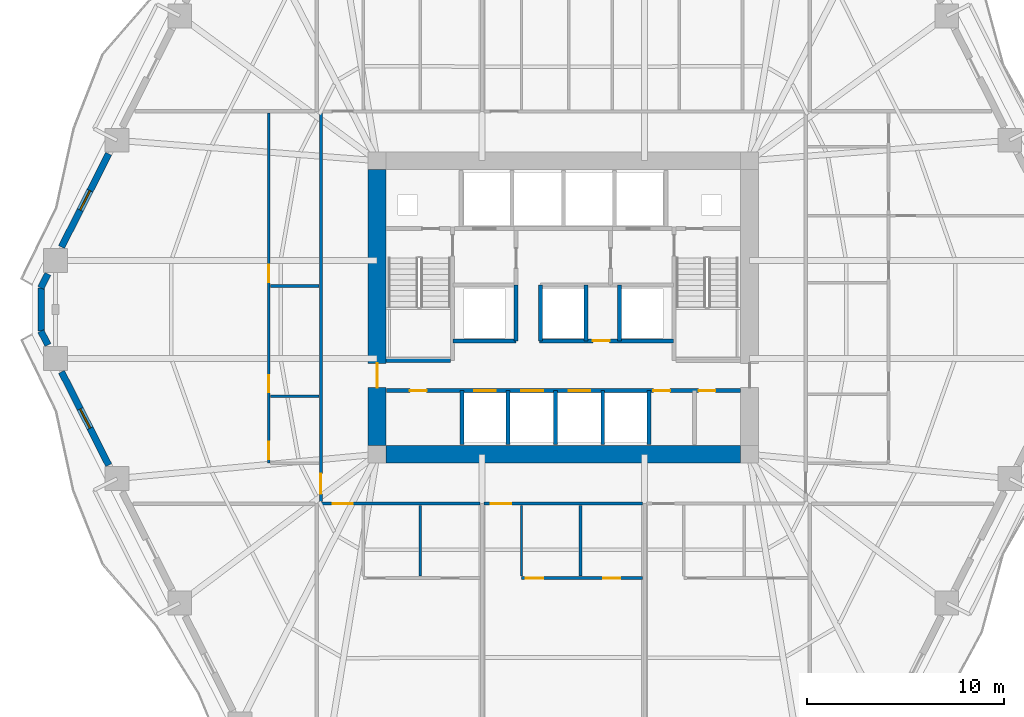
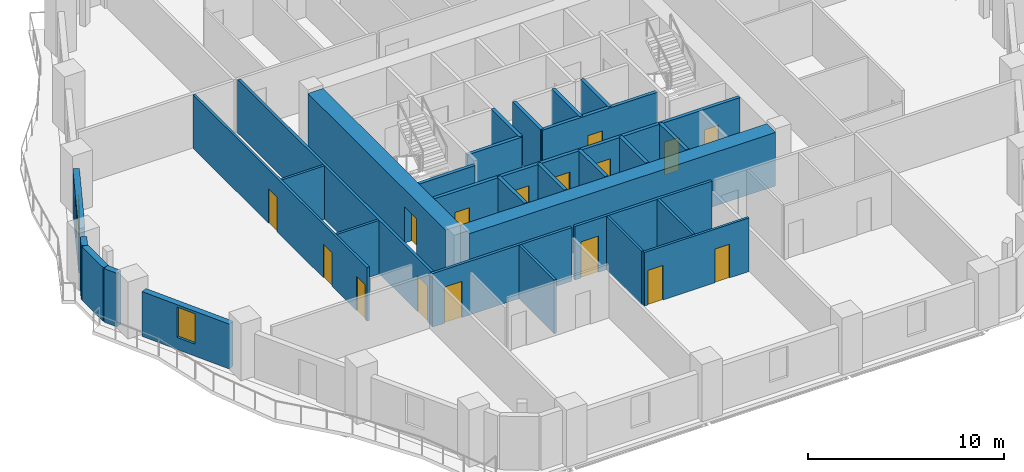
# One storey, part 4 of 11: 30 walls, 16 doors, 2 windows, 18 openings.
"""IFC4 building model written with IfcOpenShell, lengths in metres."""

from ifc_helpers import new_model, si_unit, direction, frame, frame_2d, origin, place, context, subcontext, project, spatial, rectangle, extrude, material, layer, layer_set, type_object, element, fill, save


model = new_model("IFC4")

# Units and contexts
model_context = context("Model", 3, precision=1e-05, world=origin(), true_north=direction((0.0, 1.0)))
body_context = subcontext(model_context, "Body", "Model", "MODEL_VIEW")
ifc_project = project(units=[si_unit("LENGTHUNIT", "METRE"), si_unit("AREAUNIT", "SQUARE_METRE"), si_unit("VOLUMEUNIT", "CUBIC_METRE"), si_unit("PLANEANGLEUNIT", "RADIAN"), si_unit("MASSUNIT", "GRAM", prefix="KILO")], contexts=[model_context])

# Site, building, storey
site_placement = place(None, origin())
site = spatial("IfcSite", under=ifc_project, at=site_placement, CompositionType="ELEMENT")
building_placement = place(site_placement, origin())
building = spatial("IfcBuilding", under=site, at=building_placement, Name="Cinnabar Lancet Tower", CompositionType="ELEMENT")
storey_placement = place(building_placement, frame((0.0, 0.0, 60.39990234375)))
storey = spatial("IfcBuildingStorey", under=building, at=storey_placement, Name="L15", CompositionType="ELEMENT", Elevation=60.39990234375)

# Wall, opening, door
ifc_material_1 = material(Name="Acoustic twin-stud gypsum partition", Category="gypsum")
ifc_layer_1 = layer(ifc_material_1, 0.159912109375)
ifc_layer_set_1 = layer_set([ifc_layer_1], Name="Acoustic twin-stud gypsum partition")
wall_type_1 = type_object("IfcWallType", Name="ARC-WL-CORR-160", PredefinedType="PARTITIONING", material=ifc_layer_set_1)
wall_1_placement = place(storey_placement, frame((19.9951171875, 15.949951171875, 0.0), z_axis=(0.0, 0.0, 1.0), x_axis=(1.0, 0.0, 0.0)))
wall_1 = element("IfcWall", 1, at=wall_1_placement, inside=storey, type_object=wall_type_1, Name="L15 Unit S01 Corridor Wall", PredefinedType="PARTITIONING", context=body_context, shape_type="SweptSolid", body=[
    extrude(rectangle(XDim=8.18798828125, YDim=0.159912109375, at=frame_2d((4.093994140625, 0.0))), origin(), (0.0, 0.0, 1.0), 3.330078125),
])
opening_1_placement = place(wall_1_placement, frame((0.705078125, 0.0, 0.0)))
opening_1 = element("IfcOpeningElement", 2, at=opening_1_placement, cuts=wall_1, Name="Opening UD-01", PredefinedType="OPENING", context=body_context, shape_type="SweptSolid", body=[
    extrude(rectangle(XDim=1.02001953125, YDim=2.25, at=frame_2d((0.510009765625, 1.125))), frame((0.0, 0.08984375, 0.0), z_axis=(0.0, -1.0, 0.0), x_axis=(1.0, 0.0, 0.0)), (0.0, 0.0, 1.0), 0.179931640625),
])
ifc_material_2 = material(Name="Solid timber fire-rated apartment entrance door", Category="wood")
door_type_1 = type_object("IfcDoorType", Name="ARC-DR-UNIT", OperationType="NOTDEFINED", PredefinedType="DOOR", material=ifc_material_2)
door_1_placement = place(opening_1_placement, origin())
door_1 = element("IfcDoor", 3, at=door_1_placement, inside=storey, type_object=door_type_1, Name="DR-L15-S01-ENT", OperationType="SINGLE_SWING_RIGHT", OverallHeight=2.25, OverallWidth=1.02001953125, PredefinedType="DOOR", context=body_context, shape_type="SweptSolid", body=[
    extrude(rectangle(XDim=1.02001953125, YDim=2.25, at=frame_2d((0.510009765625, 1.125))), frame((0.0, 0.02490234375, 0.0), z_axis=(0.0, -1.0, 0.0), x_axis=(1.0, 0.0, 0.0)), (0.0, 0.0, 1.0), 0.050048828125),
])
fill(opening_1, door_1)

wall_2_placement = place(storey_placement, frame((28.373046875, 15.949951171875, 0.0), z_axis=(0.0, 0.0, 1.0), x_axis=(1.0, 0.0, 0.0)))
wall_2 = element("IfcWall", 4, at=wall_2_placement, inside=storey, type_object=wall_type_1, Name="L15 Unit S02 Corridor Wall", PredefinedType="PARTITIONING", context=body_context, shape_type="SweptSolid", body=[
    extrude(rectangle(XDim=8.053955078125, YDim=0.159912109375, at=frame_2d((4.02685546875, 0.0))), origin(), (0.0, 0.0, 1.0), 3.330078125),
])
opening_2_placement = place(wall_2_placement, frame((0.35498046875, 0.0, 0.0)))
opening_2 = element("IfcOpeningElement", 5, at=opening_2_placement, cuts=wall_2, Name="Opening UD-01", PredefinedType="OPENING", context=body_context, shape_type="SweptSolid", body=[
    extrude(rectangle(XDim=1.02001953125, YDim=2.25, at=frame_2d((0.510009765625, 1.125))), frame((0.0, 0.08984375, 0.0), z_axis=(0.0, -1.0, 0.0), x_axis=(1.0, 0.0, 0.0)), (0.0, 0.0, 1.0), 0.179931640625),
])
door_2_placement = place(opening_2_placement, origin())
door_2 = element("IfcDoor", 6, at=door_2_placement, inside=storey, type_object=door_type_1, Name="DR-L15-S02-ENT", OperationType="SINGLE_SWING_LEFT", OverallHeight=2.25, OverallWidth=1.02001953125, PredefinedType="DOOR", context=body_context, shape_type="SweptSolid", body=[
    extrude(rectangle(XDim=1.02001953125, YDim=2.25, at=frame_2d((0.510009765625, 1.125))), frame((0.0, 0.02490234375, 0.0), z_axis=(0.0, -1.0, 0.0), x_axis=(1.0, 0.0, 0.0)), (0.0, 0.0, 1.0), 0.050048828125),
])
fill(opening_2, door_2)

wall_3_placement = place(storey_placement, frame((20.10009765625, 16.044921875, 0.0), z_axis=(0.0, 0.0, 1.0), x_axis=(0.0, 1.0, 0.0)))
wall_3 = element("IfcWall", 7, at=wall_3_placement, inside=storey, type_object=wall_type_1, Name="UW-L15-W01-COR", PredefinedType="PARTITIONING", context=body_context, shape_type="SweptSolid", body=[
    extrude(rectangle(XDim=19.7099609375, YDim=0.159912109375, at=frame_2d((9.85498046875, 0.0))), origin(), (0.0, 0.0, 1.0), 3.330078125),
])
opening_3_placement = place(wall_3_placement, frame((0.39990234375, 0.0, 0.0)))
opening_3 = element("IfcOpeningElement", 8, at=opening_3_placement, cuts=wall_3, Name="Opening UD-01", PredefinedType="OPENING", context=body_context, shape_type="SweptSolid", body=[
    extrude(rectangle(XDim=1.02001953125, YDim=2.25, at=frame_2d((0.510009765625, 1.125))), frame((0.0, 0.08984375, 0.0), z_axis=(0.0, -1.0, 0.0), x_axis=(1.0, 0.0, 0.0)), (0.0, 0.0, 1.0), 0.179931640625),
])
door_3_placement = place(opening_3_placement, origin())
door_3 = element("IfcDoor", 9, at=door_3_placement, inside=storey, type_object=door_type_1, Name="DR-L15-W01-ENT", OperationType="SINGLE_SWING_RIGHT", OverallHeight=2.25, OverallWidth=1.02001953125, PredefinedType="DOOR", context=body_context, shape_type="SweptSolid", body=[
    extrude(rectangle(XDim=1.02001953125, YDim=2.25, at=frame_2d((0.510009765625, 1.125))), frame((0.0, 0.02490234375, 0.0), z_axis=(0.0, -1.0, 0.0), x_axis=(1.0, 0.0, 0.0)), (0.0, 0.0, 1.0), 0.050048828125),
])
fill(opening_3, door_3)

# Walls
ifc_material_3 = material(Name="Autoclaved aerated concrete blockwork", Category="masonry")
ifc_layer_2 = layer(ifc_material_3, 0.199951171875)
ifc_layer_set_2 = layer_set([ifc_layer_2], Name="Autoclaved aerated concrete blockwork")
wall_type_2 = type_object("IfcWallType", Name="ARC-WL-SHAFT-200", PredefinedType="PLUMBINGWALL", material=ifc_layer_set_2)
wall_4_placement = place(storey_placement, frame((23.405029296875, 23.199951171875, 0.0), z_axis=(0.0, 0.0, 1.0), x_axis=(1.0, 0.0, 0.0)))
element("IfcWall", 10, at=wall_4_placement, inside=storey, type_object=wall_type_2, Name="CW-ST1S-L15", PredefinedType="PLUMBINGWALL", context=body_context, shape_type="SweptSolid", body=[
    extrude(rectangle(XDim=3.27001953125, YDim=0.199951171875, at=frame_2d((1.635009765625, 0.0))), origin(), (0.0, 0.0, 1.0), 3.330078125),
])
wall_5_placement = place(storey_placement, frame((26.800048828125, 24.199951171875, 0.0), z_axis=(0.0, 0.0, 1.0), x_axis=(1.0, 0.0, 0.0)))
element("IfcWall", 11, at=wall_5_placement, inside=storey, type_object=wall_type_2, Name="CW-PL5S-L15", PredefinedType="PLUMBINGWALL", context=body_context, shape_type="SweptSolid", body=[
    extrude(rectangle(XDim=3.199951171875, YDim=0.199951171875, at=frame_2d((1.60009765625, 0.0))), origin(), (0.0, 0.0, 1.0), 3.330078125),
])
wall_6_placement = place(storey_placement, frame((30.0, 24.199951171875, 0.0), z_axis=(0.0, 0.0, 1.0), x_axis=(0.0, 1.0, 0.0)))
element("IfcWall", 12, at=wall_6_placement, inside=storey, type_object=wall_type_2, Name="CW-PL5E-L15", PredefinedType="PLUMBINGWALL", context=body_context, shape_type="SweptSolid", body=[
    extrude(rectangle(XDim=2.85009765625, YDim=0.199951171875, at=frame_2d((1.425048828125, 0.0))), origin(), (0.0, 0.0, 1.0), 3.330078125),
])

# Wall, opening, door
wall_7_placement = place(storey_placement, frame((31.199951171875, 24.199951171875, 0.0), z_axis=(0.0, 0.0, 1.0), x_axis=(1.0, 0.0, 0.0)))
wall_7 = element("IfcWall", 13, at=wall_7_placement, inside=storey, type_object=wall_type_2, Name="CW-PL96S-L15", PredefinedType="PLUMBINGWALL", context=body_context, shape_type="SweptSolid", body=[
    extrude(rectangle(XDim=6.800048828125, YDim=0.199951171875, at=frame_2d((3.39990234375, 0.0))), origin(), (0.0, 0.0, 1.0), 3.330078125),
])
opening_4_placement = place(wall_7_placement, frame((2.699951171875, 0.0, 0.0)))
opening_4 = element("IfcOpeningElement", 14, at=opening_4_placement, cuts=wall_7, Name="Opening PD-02", PredefinedType="OPENING", context=body_context, shape_type="SweptSolid", body=[
    extrude(rectangle(XDim=0.85009765625, YDim=2.050048828125, at=frame_2d((0.425048828125, 1.02490234375))), frame((0.0, 0.10986328125, 0.0), z_axis=(0.0, -1.0, 0.0), x_axis=(1.0, 0.0, 0.0)), (0.0, 0.0, 1.0), 0.219970703125),
])
ifc_material_4 = material(Name="Fire-rated steel riser access door", Category="steel")
door_type_2 = type_object("IfcDoorType", Name="ARC-DR-RISER", OperationType="NOTDEFINED", PredefinedType="DOOR", material=ifc_material_4)
door_4_placement = place(opening_4_placement, origin())
door_4 = element("IfcDoor", 15, at=door_4_placement, inside=storey, type_object=door_type_2, Name="L15 BMS Closet Door", OperationType="SINGLE_SWING_LEFT", OverallHeight=2.050048828125, OverallWidth=0.85009765625, PredefinedType="DOOR", context=body_context, shape_type="SweptSolid", body=[
    extrude(rectangle(XDim=0.85009765625, YDim=2.050048828125, at=frame_2d((0.425048828125, 1.02490234375))), frame((0.0, 0.02490234375, 0.0), z_axis=(0.0, -1.0, 0.0), x_axis=(1.0, 0.0, 0.0)), (0.0, 0.0, 1.0), 0.050048828125),
])
fill(opening_4, door_4)

# Walls
for number, where, z_axis, x_axis, name in (
    (16, (31.25, 24.199951171875, 0.0), (0.0, 0.0, 1.0), (0.0, 1.0, 0.0), "CW-PL9W-L15"),
    (17, (33.550048828125, 24.199951171875, 0.0), (0.0, 0.0, 1.0), (0.0, 1.0, 0.0), "CW-PL9E-L15"),
    (18, (35.25, 24.199951171875, 0.0), (0.0, 0.0, 1.0), (0.0, 1.0, 0.0), "CW-PL6W-L15"),
):
    element("IfcWall", number, at=place(storey_placement, frame(where, z_axis=z_axis, x_axis=x_axis)), inside=storey, type_object=wall_type_2, Name=name, PredefinedType="PLUMBINGWALL", context=body_context, shape_type="SweptSolid", body=[
        extrude(rectangle(XDim=2.85009765625, YDim=0.199951171875, at=frame_2d((1.425048828125, 0.0))), origin(), (0.0, 0.0, 1.0), 3.330078125),
    ])

# Wall, openings, doors
wall_8_placement = place(storey_placement, frame((23.419921875, 21.679931640625, 0.0), z_axis=(0.0, 0.0, 1.0), x_axis=(1.0, 0.0, 0.0)))
wall_8 = element("IfcWall", 19, at=wall_8_placement, inside=storey, type_object=wall_type_2, Name="CW-SBANDN-L15", PredefinedType="PLUMBINGWALL", context=body_context, shape_type="SweptSolid", body=[
    extrude(rectangle(XDim=17.9599609375, YDim=0.199951171875, at=frame_2d((8.97998046875, 0.0))), origin(), (0.0, 0.0, 1.0), 3.330078125),
])
opening_5_placement = place(wall_8_placement, frame((4.449951171875, 0.0, 0.0)))
opening_5 = element("IfcOpeningElement", 20, at=opening_5_placement, cuts=wall_8, Name="Opening LD-01", PredefinedType="OPENING", context=body_context, shape_type="SweptSolid", body=[
    extrude(rectangle(XDim=1.10009765625, YDim=2.199951171875, at=frame_2d((0.550048828125, 1.10009765625))), frame((0.0, 0.10986328125, 0.0), z_axis=(0.0, -1.0, 0.0), x_axis=(1.0, 0.0, 0.0)), (0.0, 0.0, 1.0), 0.219970703125),
])
opening_6_placement = place(wall_8_placement, frame((6.85009765625, 0.0, 0.0)))
opening_6 = element("IfcOpeningElement", 21, at=opening_6_placement, cuts=wall_8, Name="Opening LD-01", PredefinedType="OPENING", context=body_context, shape_type="SweptSolid", body=[
    extrude(rectangle(XDim=1.10009765625, YDim=2.199951171875, at=frame_2d((0.550048828125, 1.10009765625))), frame((0.0, 0.10986328125, 0.0), z_axis=(0.0, -1.0, 0.0), x_axis=(1.0, 0.0, 0.0)), (0.0, 0.0, 1.0), 0.219970703125),
])
opening_7_placement = place(wall_8_placement, frame((9.25, 0.0, 0.0)))
opening_7 = element("IfcOpeningElement", 22, at=opening_7_placement, cuts=wall_8, Name="Opening LD-01", PredefinedType="OPENING", context=body_context, shape_type="SweptSolid", body=[
    extrude(rectangle(XDim=1.10009765625, YDim=2.199951171875, at=frame_2d((0.550048828125, 1.10009765625))), frame((0.0, 0.10986328125, 0.0), z_axis=(0.0, -1.0, 0.0), x_axis=(1.0, 0.0, 0.0)), (0.0, 0.0, 1.0), 0.219970703125),
])
opening_8_placement = place(wall_8_placement, frame((1.199951171875, 0.0, 0.0)))
opening_8 = element("IfcOpeningElement", 23, at=opening_8_placement, cuts=wall_8, Name="Opening PD-02", PredefinedType="OPENING", context=body_context, shape_type="SweptSolid", body=[
    extrude(rectangle(XDim=0.85009765625, YDim=2.050048828125, at=frame_2d((0.425048828125, 1.02490234375))), frame((0.0, 0.10986328125, 0.0), z_axis=(0.0, -1.0, 0.0), x_axis=(1.0, 0.0, 0.0)), (0.0, 0.0, 1.0), 0.219970703125),
])
opening_9_placement = place(wall_8_placement, frame((13.550048828125, 0.0, 0.0)))
opening_9 = element("IfcOpeningElement", 24, at=opening_9_placement, cuts=wall_8, Name="Opening PD-02", PredefinedType="OPENING", context=body_context, shape_type="SweptSolid", body=[
    extrude(rectangle(XDim=0.85009765625, YDim=2.050048828125, at=frame_2d((0.425048828125, 1.02490234375))), frame((0.0, 0.10986328125, 0.0), z_axis=(0.0, -1.0, 0.0), x_axis=(1.0, 0.0, 0.0)), (0.0, 0.0, 1.0), 0.219970703125),
])
opening_10_placement = place(wall_8_placement, frame((15.85009765625, 0.0, 0.0)))
opening_10 = element("IfcOpeningElement", 25, at=opening_10_placement, cuts=wall_8, Name="Opening PD-02", PredefinedType="OPENING", context=body_context, shape_type="SweptSolid", body=[
    extrude(rectangle(XDim=0.85009765625, YDim=2.050048828125, at=frame_2d((0.425048828125, 1.02490234375))), frame((0.0, 0.10986328125, 0.0), z_axis=(0.0, -1.0, 0.0), x_axis=(1.0, 0.0, 0.0)), (0.0, 0.0, 1.0), 0.219970703125),
])
ifc_material_5 = material(Name="Brushed stainless steel sliding lift door", Category="steel")
door_type_3 = type_object("IfcDoorType", Name="ARC-DR-LD-PASS", OperationType="NOTDEFINED", PredefinedType="DOOR", material=ifc_material_5)
door_5_placement = place(opening_5_placement, origin())
door_5 = element("IfcDoor", 26, at=door_5_placement, inside=storey, type_object=door_type_3, Name="L15 Lift PL-1 Landing Door", OperationType="DOUBLE_DOOR_SLIDING", OverallHeight=2.199951171875, OverallWidth=1.10009765625, PredefinedType="DOOR", context=body_context, shape_type="SweptSolid", body=[
    extrude(rectangle(XDim=1.10009765625, YDim=2.199951171875, at=frame_2d((0.550048828125, 1.10009765625))), frame((0.0, 0.02490234375, 0.0), z_axis=(0.0, -1.0, 0.0), x_axis=(1.0, 0.0, 0.0)), (0.0, 0.0, 1.0), 0.050048828125),
])
fill(opening_5, door_5)
door_6_placement = place(opening_6_placement, origin())
door_6 = element("IfcDoor", 27, at=door_6_placement, inside=storey, type_object=door_type_3, Name="L15 Lift PL-2 Landing Door", OperationType="DOUBLE_DOOR_SLIDING", OverallHeight=2.199951171875, OverallWidth=1.10009765625, PredefinedType="DOOR", context=body_context, shape_type="SweptSolid", body=[
    extrude(rectangle(XDim=1.10009765625, YDim=2.199951171875, at=frame_2d((0.550048828125, 1.10009765625))), frame((0.0, 0.02490234375, 0.0), z_axis=(0.0, -1.0, 0.0), x_axis=(1.0, 0.0, 0.0)), (0.0, 0.0, 1.0), 0.050048828125),
])
fill(opening_6, door_6)
door_7_placement = place(opening_7_placement, origin())
door_7 = element("IfcDoor", 28, at=door_7_placement, inside=storey, type_object=door_type_3, Name="L15 Lift PL-3 Landing Door", OperationType="DOUBLE_DOOR_SLIDING", OverallHeight=2.199951171875, OverallWidth=1.10009765625, PredefinedType="DOOR", context=body_context, shape_type="SweptSolid", body=[
    extrude(rectangle(XDim=1.10009765625, YDim=2.199951171875, at=frame_2d((0.550048828125, 1.10009765625))), frame((0.0, 0.02490234375, 0.0), z_axis=(0.0, -1.0, 0.0), x_axis=(1.0, 0.0, 0.0)), (0.0, 0.0, 1.0), 0.050048828125),
])
fill(opening_7, door_7)
door_8_placement = place(opening_8_placement, origin())
door_8 = element("IfcDoor", 29, at=door_8_placement, inside=storey, type_object=door_type_2, Name="DR-L15-SW1", OperationType="SINGLE_SWING_LEFT", OverallHeight=2.050048828125, OverallWidth=0.85009765625, PredefinedType="DOOR", context=body_context, shape_type="SweptSolid", body=[
    extrude(rectangle(XDim=0.85009765625, YDim=2.050048828125, at=frame_2d((0.425048828125, 1.02490234375))), frame((0.0, 0.02490234375, 0.0), z_axis=(0.0, -1.0, 0.0), x_axis=(1.0, 0.0, 0.0)), (0.0, 0.0, 1.0), 0.050048828125),
])
fill(opening_8, door_8)
door_9_placement = place(opening_9_placement, origin())
door_9 = element("IfcDoor", 30, at=door_9_placement, inside=storey, type_object=door_type_2, Name="DR-L15-SE1", OperationType="SINGLE_SWING_LEFT", OverallHeight=2.050048828125, OverallWidth=0.85009765625, PredefinedType="DOOR", context=body_context, shape_type="SweptSolid", body=[
    extrude(rectangle(XDim=0.85009765625, YDim=2.050048828125, at=frame_2d((0.425048828125, 1.02490234375))), frame((0.0, 0.02490234375, 0.0), z_axis=(0.0, -1.0, 0.0), x_axis=(1.0, 0.0, 0.0)), (0.0, 0.0, 1.0), 0.050048828125),
])
fill(opening_9, door_9)
door_10_placement = place(opening_10_placement, origin())
door_10 = element("IfcDoor", 31, at=door_10_placement, inside=storey, type_object=door_type_2, Name="DR-L15-SE2", OperationType="SINGLE_SWING_RIGHT", OverallHeight=2.050048828125, OverallWidth=0.85009765625, PredefinedType="DOOR", context=body_context, shape_type="SweptSolid", body=[
    extrude(rectangle(XDim=0.85009765625, YDim=2.050048828125, at=frame_2d((0.425048828125, 1.02490234375))), frame((0.0, 0.02490234375, 0.0), z_axis=(0.0, -1.0, 0.0), x_axis=(1.0, 0.0, 0.0)), (0.0, 0.0, 1.0), 0.050048828125),
])
fill(opening_10, door_10)

# Walls
for number, where, z_axis, x_axis, name in (
    (32, (27.25, 18.949951171875, 0.0), (0.0, 0.0, 1.0), (0.0, 1.0, 0.0), "CW-SB-2725-L15"),
    (33, (29.60009765625, 18.949951171875, 0.0), (0.0, 0.0, 1.0), (0.0, 1.0, 0.0), "CW-SB-2960-L15"),
    (34, (32.0, 18.949951171875, 0.0), (0.0, 0.0, 1.0), (0.0, 1.0, 0.0), "CW-SB-3200-L15"),
    (35, (34.39990234375, 18.949951171875, 0.0), (0.0, 0.0, 1.0), (0.0, 1.0, 0.0), "CW-SB-3440-L15"),
    (36, (36.75, 18.949951171875, 0.0), (0.0, 0.0, 1.0), (0.0, 1.0, 0.0), "CW-SB-3675-L15"),
):
    element("IfcWall", number, at=place(storey_placement, frame(where, z_axis=z_axis, x_axis=x_axis)), inside=storey, type_object=wall_type_2, Name=name, PredefinedType="PLUMBINGWALL", context=body_context, shape_type="SweptSolid", body=[
        extrude(rectangle(XDim=2.72998046875, YDim=0.199951171875, at=frame_2d((1.364990234375, 0.0))), origin(), (0.0, 0.0, 1.0), 3.330078125),
    ])
ifc_material_6 = material(Name="Gypsum plasterboard stud partition", Category="gypsum")
ifc_layer_3 = layer(ifc_material_6, 0.125)
ifc_layer_set_3 = layer_set([ifc_layer_3], Name="Gypsum plasterboard stud partition")
wall_type_3 = type_object("IfcWallType", Name="ARC-WL-UNIT-125", PredefinedType="PARTITIONING", material=ifc_layer_set_3)
wall_9_placement = place(storey_placement, frame((30.278076171875, 12.27587890625, 0.0), z_axis=(0.0, 0.0, 1.0), x_axis=(0.0, 1.0, 0.0)))
element("IfcWall", 37, at=wall_9_placement, inside=storey, type_object=wall_type_3, Name="UW-L15-S02-FOYE", PredefinedType="PARTITIONING", context=body_context, shape_type="SweptSolid", body=[
    extrude(rectangle(XDim=3.589111328125, YDim=0.125, at=frame_2d((1.79443359375, 0.0))), origin(), (0.0, 0.0, 1.0), 3.330078125),
])
ifc_material_7 = material(Name="Moisture-resistant cement-board plumbing wall", Category="masonry")
ifc_layer_4 = layer(ifc_material_7, 0.139892578125)
ifc_layer_set_4 = layer_set([ifc_layer_4], Name="Moisture-resistant cement-board plumbing wall")
wall_type_4 = type_object("IfcWallType", Name="ARC-WL-WET-140", PredefinedType="PLUMBINGWALL", material=ifc_layer_set_4)
wall_10_placement = place(storey_placement, frame((25.14306640625, 12.27587890625, 0.0), z_axis=(0.0, 0.0, 1.0), x_axis=(0.0, 1.0, 0.0)))
element("IfcWall", 38, at=wall_10_placement, inside=storey, type_object=wall_type_4, Name="UW-L15-S01-KDV", PredefinedType="PLUMBINGWALL", context=body_context, shape_type="SweptSolid", body=[
    extrude(rectangle(XDim=3.589111328125, YDim=0.139892578125, at=frame_2d((1.79443359375, 0.0))), origin(), (0.0, 0.0, 1.0), 3.330078125),
])

# Wall, openings, doors
wall_11_placement = place(storey_placement, frame((30.278076171875, 12.1708984375, 0.0), z_axis=(0.0, 0.0, 1.0), x_axis=(1.0, 0.0, 0.0)))
wall_11 = element("IfcWall", 39, at=wall_11_placement, inside=storey, type_object=wall_type_4, Name="UW-L15-S02-SPL", PredefinedType="PLUMBINGWALL", context=body_context, shape_type="SweptSolid", body=[
    extrude(rectangle(XDim=6.14892578125, YDim=0.139892578125, at=frame_2d((3.074462890625, 0.0))), origin(), (0.0, 0.0, 1.0), 3.330078125),
])
opening_11_placement = place(wall_11_placement, frame((4.14794921875, 0.0, 0.0)))
opening_11 = element("IfcOpeningElement", 40, at=opening_11_placement, cuts=wall_11, Name="Opening BD-01", PredefinedType="OPENING", context=body_context, shape_type="SweptSolid", body=[
    extrude(rectangle(XDim=0.860107421875, YDim=2.10009765625, at=frame_2d((0.43017578125, 1.050048828125))), frame((0.0, 0.079833984375, 0.0), z_axis=(0.0, -1.0, 0.0), x_axis=(1.0, 0.0, 0.0)), (0.0, 0.0, 1.0), 0.159912109375),
])
opening_12_placement = place(wall_11_placement, frame((0.219970703125, 0.0, 0.0)))
opening_12 = element("IfcOpeningElement", 41, at=opening_12_placement, cuts=wall_11, Name="Opening RD-02", PredefinedType="OPENING", context=body_context, shape_type="SweptSolid", body=[
    extrude(rectangle(XDim=0.8798828125, YDim=2.14990234375, at=frame_2d((0.43994140625, 1.074951171875))), frame((0.0, 0.079833984375, 0.0), z_axis=(0.0, -1.0, 0.0), x_axis=(1.0, 0.0, 0.0)), (0.0, 0.0, 1.0), 0.159912109375),
])
ifc_material_8 = material(Name="Moisture-resistant timber bathroom door", Category="wood")
door_type_4 = type_object("IfcDoorType", Name="ARC-DR-BATH", OperationType="NOTDEFINED", PredefinedType="DOOR", material=ifc_material_8)
door_11_placement = place(opening_11_placement, origin())
door_11 = element("IfcDoor", 42, at=door_11_placement, inside=storey, type_object=door_type_4, Name="DR-L15-S02-BTH", OperationType="SINGLE_SWING_LEFT", OverallHeight=2.10009765625, OverallWidth=0.860107421875, PredefinedType="DOOR", context=body_context, shape_type="SweptSolid", body=[
    extrude(rectangle(XDim=0.860107421875, YDim=2.10009765625, at=frame_2d((0.43017578125, 1.050048828125))), frame((0.0, 0.02490234375, 0.0), z_axis=(0.0, -1.0, 0.0), x_axis=(1.0, 0.0, 0.0)), (0.0, 0.0, 1.0), 0.050048828125),
])
fill(opening_11, door_11)
ifc_material_9 = material(Name="Engineered timber study door", Category="wood")
door_type_5 = type_object("IfcDoorType", Name="ARC-DR-STUDY", OperationType="NOTDEFINED", PredefinedType="DOOR", material=ifc_material_9)
door_12_placement = place(opening_12_placement, origin())
door_12 = element("IfcDoor", 43, at=door_12_placement, inside=storey, type_object=door_type_5, Name="DR-L15-S02-KIT", OperationType="SINGLE_SWING_RIGHT", OverallHeight=2.14990234375, OverallWidth=0.8798828125, PredefinedType="DOOR", context=body_context, shape_type="SweptSolid", body=[
    extrude(rectangle(XDim=0.8798828125, YDim=2.14990234375, at=frame_2d((0.43994140625, 1.074951171875))), frame((0.0, 0.02490234375, 0.0), z_axis=(0.0, -1.0, 0.0), x_axis=(1.0, 0.0, 0.0)), (0.0, 0.0, 1.0), 0.050048828125),
])
fill(opening_12, door_12)

# Wall
wall_12_placement = place(storey_placement, frame((33.27490234375, 12.27587890625, 0.0), z_axis=(0.0, 0.0, 1.0), x_axis=(0.0, 1.0, 0.0)))
element("IfcWall", 44, at=wall_12_placement, inside=storey, type_object=wall_type_4, Name="UW-L15-S02-KDV", PredefinedType="PLUMBINGWALL", context=body_context, shape_type="SweptSolid", body=[
    extrude(rectangle(XDim=3.589111328125, YDim=0.139892578125, at=frame_2d((1.79443359375, 0.0))), origin(), (0.0, 0.0, 1.0), 3.330078125),
])

# Wall, openings, doors
wall_13_placement = place(storey_placement, frame((17.449951171875, 18.0, 0.0), z_axis=(0.0, 0.0, 1.0), x_axis=(0.0, 1.0, 0.0)))
wall_13 = element("IfcWall", 45, at=wall_13_placement, inside=storey, type_object=wall_type_4, Name="UW-L15-W01-SPL", PredefinedType="PLUMBINGWALL", context=body_context, shape_type="SweptSolid", body=[
    extrude(rectangle(XDim=17.7548828125, YDim=0.139892578125, at=frame_2d((8.87744140625, 0.0))), origin(), (0.0, 0.0, 1.0), 3.330078125),
])
opening_13_placement = place(wall_13_placement, frame((3.60009765625, 0.0, 0.0)))
opening_13 = element("IfcOpeningElement", 46, at=opening_13_placement, cuts=wall_13, Name="Opening BD-01", PredefinedType="OPENING", context=body_context, shape_type="SweptSolid", body=[
    extrude(rectangle(XDim=0.860107421875, YDim=2.10009765625, at=frame_2d((0.43017578125, 1.050048828125))), frame((0.0, 0.079833984375, 0.0), z_axis=(0.0, -1.0, 0.0), x_axis=(1.0, 0.0, 0.0)), (0.0, 0.0, 1.0), 0.159912109375),
])
opening_14_placement = place(wall_13_placement, frame((9.18701171875, 0.0, 0.0)))
opening_14 = element("IfcOpeningElement", 47, at=opening_14_placement, cuts=wall_13, Name="Opening RD-02", PredefinedType="OPENING", context=body_context, shape_type="SweptSolid", body=[
    extrude(rectangle(XDim=0.8798828125, YDim=2.14990234375, at=frame_2d((0.43994140625, 1.074951171875))), frame((0.0, 0.079833984375, 0.0), z_axis=(0.0, -1.0, 0.0), x_axis=(1.0, 0.0, 0.0)), (0.0, 0.0, 1.0), 0.159912109375),
])
opening_15_placement = place(wall_13_placement, frame((0.199951171875, 0.0, 0.0)))
opening_15 = element("IfcOpeningElement", 48, at=opening_15_placement, cuts=wall_13, Name="Opening RD-02", PredefinedType="OPENING", context=body_context, shape_type="SweptSolid", body=[
    extrude(rectangle(XDim=0.8798828125, YDim=2.14990234375, at=frame_2d((0.43994140625, 1.074951171875))), frame((0.0, 0.079833984375, 0.0), z_axis=(0.0, -1.0, 0.0), x_axis=(1.0, 0.0, 0.0)), (0.0, 0.0, 1.0), 0.159912109375),
])
door_13_placement = place(opening_13_placement, origin())
door_13 = element("IfcDoor", 49, at=door_13_placement, inside=storey, type_object=door_type_4, Name="DR-L15-W01-BTH", OperationType="SINGLE_SWING_RIGHT", OverallHeight=2.10009765625, OverallWidth=0.860107421875, PredefinedType="DOOR", context=body_context, shape_type="SweptSolid", body=[
    extrude(rectangle(XDim=0.860107421875, YDim=2.10009765625, at=frame_2d((0.43017578125, 1.050048828125))), frame((0.0, 0.02490234375, 0.0), z_axis=(0.0, -1.0, 0.0), x_axis=(1.0, 0.0, 0.0)), (0.0, 0.0, 1.0), 0.050048828125),
])
fill(opening_13, door_13)
door_14_placement = place(opening_14_placement, origin())
door_14 = element("IfcDoor", 50, at=door_14_placement, inside=storey, type_object=door_type_5, Name="DR-L15-W01-WDR", OperationType="SINGLE_SWING_LEFT", OverallHeight=2.14990234375, OverallWidth=0.8798828125, PredefinedType="DOOR", context=body_context, shape_type="SweptSolid", body=[
    extrude(rectangle(XDim=0.8798828125, YDim=2.14990234375, at=frame_2d((0.43994140625, 1.074951171875))), frame((0.0, 0.02490234375, 0.0), z_axis=(0.0, -1.0, 0.0), x_axis=(1.0, 0.0, 0.0)), (0.0, 0.0, 1.0), 0.050048828125),
])
fill(opening_14, door_14)
door_15_placement = place(opening_15_placement, origin())
door_15 = element("IfcDoor", 51, at=door_15_placement, inside=storey, type_object=door_type_5, Name="DR-L15-W01-KIT", OperationType="SINGLE_SWING_LEFT", OverallHeight=2.14990234375, OverallWidth=0.8798828125, PredefinedType="DOOR", context=body_context, shape_type="SweptSolid", body=[
    extrude(rectangle(XDim=0.8798828125, YDim=2.14990234375, at=frame_2d((0.43994140625, 1.074951171875))), frame((0.0, 0.02490234375, 0.0), z_axis=(0.0, -1.0, 0.0), x_axis=(1.0, 0.0, 0.0)), (0.0, 0.0, 1.0), 0.050048828125),
])
fill(opening_15, door_15)

# Walls
for number, where, z_axis, x_axis, name in (
    (52, (17.534912109375, 21.39990234375, 0.0), (0.0, 0.0, 1.0), (1.0, 0.0, 0.0), "UW-L15-W01-KDV"),
    (53, (17.534912109375, 26.987060546875, 0.0), (0.0, 0.0, 1.0), (1.0, 0.0, 0.0), "UW-L15-W01-BWDV"),
):
    element("IfcWall", number, at=place(storey_placement, frame(where, z_axis=z_axis, x_axis=x_axis)), inside=storey, type_object=wall_type_4, Name=name, PredefinedType="PLUMBINGWALL", context=body_context, shape_type="SweptSolid", body=[
        extrude(rectangle(XDim=2.47998046875, YDim=0.139892578125, at=frame_2d((1.239990234375, 0.0))), origin(), (0.0, 0.0, 1.0), 3.330078125),
    ])
ifc_material_10 = material(Name="Cinnabar red clay brick", Category="masonry")
ifc_layer_5 = layer(ifc_material_10, 0.340087890625)
ifc_layer_set_5 = layer_set([ifc_layer_5], Name="Cinnabar red clay brick")
wall_type_5 = type_object("IfcWallType", Name="ENV-WL-BRK-RED-340", PredefinedType="STANDARD", material=ifc_layer_set_5)
wall_14_placement = place(storey_placement, frame((5.912109375, 26.885986328125, 0.0), z_axis=(0.0, 0.0, 1.0), x_axis=(0.0, -1.0, 0.0)))
element("IfcWall", 54, at=wall_14_placement, inside=storey, type_object=wall_type_5, Name="L15 Chamfered Corner Brick Pier 6.1", PredefinedType="STANDARD", context=body_context, shape_type="SweptSolid", body=[
    extrude(rectangle(XDim=2.171875, YDim=0.340087890625, at=frame_2d((1.0859375, 0.0))), origin(), (0.0, 0.0, 1.0), 3.330078125),
])

# Wall, opening, window
wall_15_placement = place(storey_placement, frame((9.3349609375, 33.698974609375, 0.0), z_axis=(0.0, 0.0, 1.0), x_axis=(-0.451590635984, -0.892225250422, 0.0)))
wall_15 = element("IfcWall", 55, at=wall_15_placement, inside=storey, type_object=wall_type_5, Name="L15 Face 5 Masonry Bay Wall 4", PredefinedType="STANDARD", context=body_context, shape_type="SweptSolid", body=[
    extrude(rectangle(XDim=5.303466796875, YDim=0.340087890625, at=frame_2d((2.65185546875, 0.0))), origin(), (0.0, 0.0, 1.0), 2.787109375),
])
opening_16_placement = place(wall_15_placement, frame((2.10205078125, 0.0, 0.75)))
opening_16 = element("IfcOpeningElement", 56, at=opening_16_placement, cuts=wall_15, Name="Opening WN-04", PredefinedType="OPENING", context=body_context, shape_type="SweptSolid", body=[
    extrude(rectangle(XDim=1.10009765625, YDim=1.886962890625, at=frame_2d((0.550048828125, 0.943359375))), frame((0.0, 0.179931640625, 0.0), z_axis=(0.0, -1.0, 0.0), x_axis=(1.0, 0.0, 0.0)), (0.0, 0.0, 1.0), 0.360107421875),
])
ifc_material_11 = material(Name="Thermally broken bronze-anodized aluminium tall lancet window", Category="aluminium")
window_type = type_object("IfcWindowType", Name="ENV-WN-LANCET-1100", PartitioningType="SINGLE_PANEL", PredefinedType="WINDOW", material=ifc_material_11)
window_1_placement = place(opening_16_placement, origin())
window_1 = element("IfcWindow", 57, at=window_1_placement, inside=storey, type_object=window_type, Name="L15 Face 5 Gothic Lancet Window 4", OverallHeight=1.886962890625, OverallWidth=1.10009765625, PartitioningType="SINGLE_PANEL", PredefinedType="WINDOW", context=body_context, shape_type="SweptSolid", body=[
    extrude(rectangle(XDim=1.10009765625, YDim=1.886962890625, at=frame_2d((0.550048828125, 0.943359375))), frame((0.0, 0.030029296875, 0.0), z_axis=(0.0, -1.0, 0.0), x_axis=(1.0, 0.0, 0.0)), (0.0, 0.0, 1.0), 0.06005859375),
])
fill(opening_16, window_1)

# Walls
for number, where, z_axis, x_axis, name in (
    (58, (6.251953125, 27.60498046875, 0.0), (0.0, 0.0, 1.0), (-0.452101093511, -0.891966704113, 0.0), "L15 Face 5 Masonry Bay Wall 5"),
    (59, (5.89111328125, 24.70703125, 0.0), (0.0, 0.0, 1.0), (0.452101093511, -0.891966704113, 0.0), "L15 Face 6 Masonry Bay Wall 1"),
):
    element("IfcWall", number, at=place(storey_placement, frame(where, z_axis=z_axis, x_axis=x_axis)), inside=storey, type_object=wall_type_5, Name=name, PredefinedType="STANDARD", context=body_context, shape_type="SweptSolid", body=[
        extrude(rectangle(XDim=0.798095703125, YDim=0.340087890625, at=frame_2d((0.39892578125, 0.0))), origin(), (0.0, 0.0, 1.0), 3.330078125),
    ])

# Wall, opening, window
wall_16_placement = place(storey_placement, frame((6.93994140625, 22.633056640625, 0.0), z_axis=(0.0, 0.0, 1.0), x_axis=(0.451572088722, -0.892234637686, 0.0)))
wall_16 = element("IfcWall", 60, at=wall_16_placement, inside=storey, type_object=wall_type_5, Name="L15 Face 6 Masonry Bay Wall 2", PredefinedType="STANDARD", context=body_context, shape_type="SweptSolid", body=[
    extrude(rectangle(XDim=5.3037109375, YDim=0.340087890625, at=frame_2d((2.65185546875, 0.0))), origin(), (0.0, 0.0, 1.0), 2.787109375),
])
opening_17_placement = place(wall_16_placement, frame((2.10205078125, 0.0, 0.75)))
opening_17 = element("IfcOpeningElement", 61, at=opening_17_placement, cuts=wall_16, Name="Opening WN-04", PredefinedType="OPENING", context=body_context, shape_type="SweptSolid", body=[
    extrude(rectangle(XDim=1.10009765625, YDim=1.886962890625, at=frame_2d((0.550048828125, 0.943359375))), frame((0.0, 0.179931640625, 0.0), z_axis=(0.0, -1.0, 0.0), x_axis=(1.0, 0.0, 0.0)), (0.0, 0.0, 1.0), 0.360107421875),
])
window_2_placement = place(opening_17_placement, origin())
window_2 = element("IfcWindow", 62, at=window_2_placement, inside=storey, type_object=window_type, Name="L15 Face 6 Gothic Lancet Window 2", OverallHeight=1.886962890625, OverallWidth=1.10009765625, PartitioningType="SINGLE_PANEL", PredefinedType="WINDOW", context=body_context, shape_type="SweptSolid", body=[
    extrude(rectangle(XDim=1.10009765625, YDim=1.886962890625, at=frame_2d((0.550048828125, 0.943359375))), frame((0.0, 0.030029296875, 0.0), z_axis=(0.0, -1.0, 0.0), x_axis=(1.0, 0.0, 0.0)), (0.0, 0.0, 1.0), 0.06005859375),
])
fill(opening_17, window_2)

# Wall
ifc_material_12 = material(Name="Concrete C80/95", Category="concrete")
ifc_layer_6 = layer(ifc_material_12, 0.89990234375)
ifc_layer_set_6 = layer_set([ifc_layer_6], Name="Concrete C80/95")
wall_type_6 = type_object("IfcWallType", Name="STR-WL-CORE-900", PredefinedType="SHEAR", material=ifc_layer_set_6)
wall_17_placement = place(storey_placement, frame((23.39990234375, 18.449951171875, 0.0), z_axis=(0.0, 0.0, 1.0), x_axis=(1.0, 0.0, 0.0)))
element("IfcWall", 63, at=wall_17_placement, inside=storey, type_object=wall_type_6, Name="L15 Core Shear Wall S", PredefinedType="SHEAR", context=body_context, shape_type="SweptSolid", body=[
    extrude(rectangle(XDim=18.0, YDim=0.89990234375, at=frame_2d((9.0, 0.0))), origin(), (0.0, 0.0, 1.0), 3.330078125),
])

# Wall, opening, door
wall_18_placement = place(storey_placement, frame((22.949951171875, 18.89990234375, 0.0), z_axis=(0.0, 0.0, 1.0), x_axis=(0.0, 1.0, 0.0)))
wall_18 = element("IfcWall", 64, at=wall_18_placement, inside=storey, type_object=wall_type_6, Name="L15 Core Shear Wall W", PredefinedType="SHEAR", context=body_context, shape_type="SweptSolid", body=[
    extrude(rectangle(XDim=14.0, YDim=0.89990234375, at=frame_2d((7.0, 0.0))), origin(), (0.0, 0.0, 1.0), 3.330078125),
])
opening_18_placement = place(wall_18_placement, frame((2.93994140625, 0.0, 0.0)))
opening_18 = element("IfcOpeningElement", 65, at=opening_18_placement, cuts=wall_18, Name="Opening FD-02", PredefinedType="OPENING", context=body_context, shape_type="SweptSolid", body=[
    extrude(rectangle(XDim=1.219970703125, YDim=2.25, at=frame_2d((0.60986328125, 1.125))), frame((0.0, 0.4599609375, 0.0), z_axis=(0.0, -1.0, 0.0), x_axis=(1.0, 0.0, 0.0)), (0.0, 0.0, 1.0), 0.919921875),
])
ifc_material_13 = material(Name="Fire-rated double-vision core portal door", Category="wood")
door_type_6 = type_object("IfcDoorType", Name="ARC-DR-CPORT", OperationType="NOTDEFINED", PredefinedType="DOOR", material=ifc_material_13)
door_16_placement = place(opening_18_placement, origin())
door_16 = element("IfcDoor", 66, at=door_16_placement, inside=storey, type_object=door_type_6, Name="L15 West Core Lobby Fire Door", OperationType="SINGLE_SWING_RIGHT", OverallHeight=2.25, OverallWidth=1.219970703125, PredefinedType="DOOR", context=body_context, shape_type="SweptSolid", body=[
    extrude(rectangle(XDim=1.219970703125, YDim=2.25, at=frame_2d((0.60986328125, 1.125))), frame((0.0, 0.02490234375, 0.0), z_axis=(0.0, -1.0, 0.0), x_axis=(1.0, 0.0, 0.0)), (0.0, 0.0, 1.0), 0.050048828125),
])
fill(opening_18, door_16)

save(model, "model.ifc")
